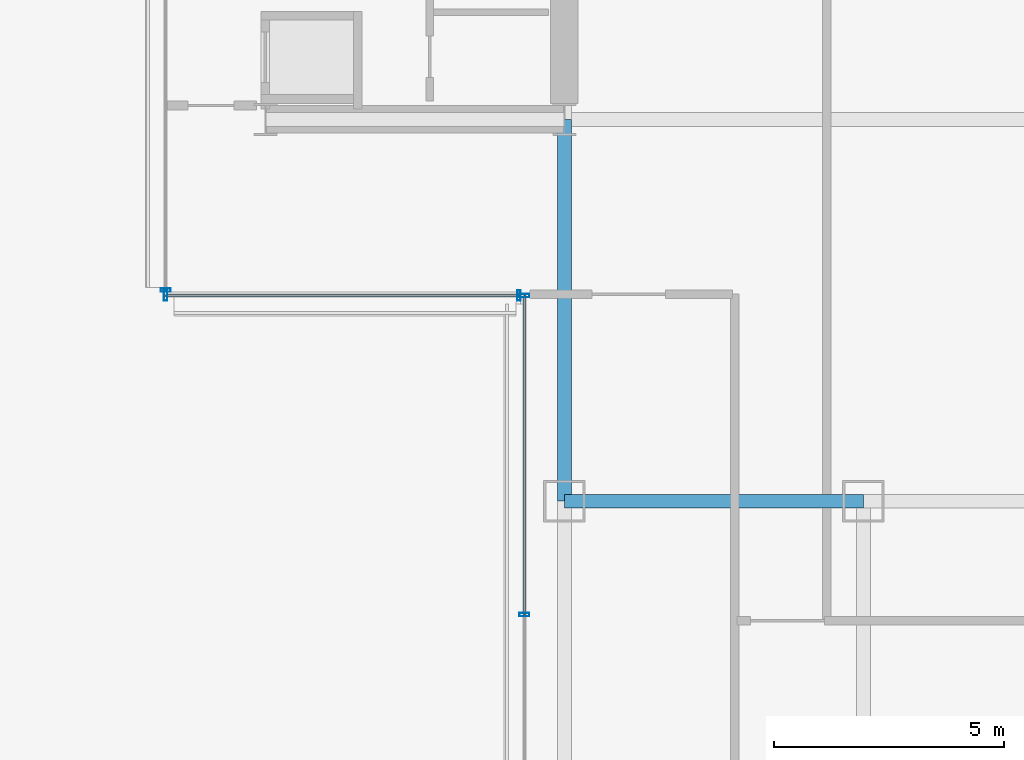
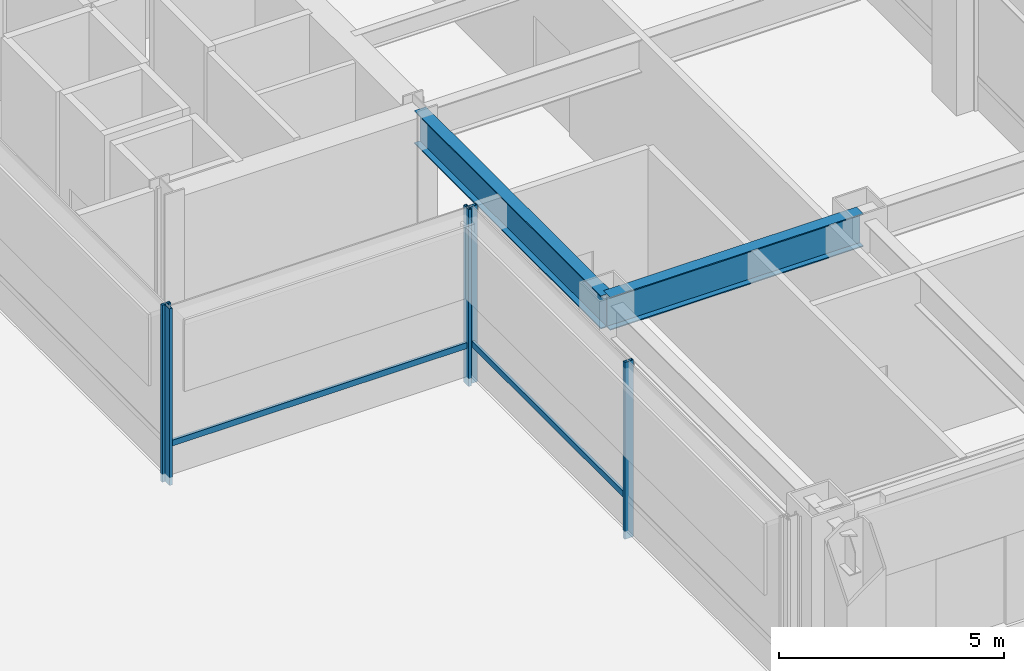
# One storey, part 8 of 37: 7 members, 2 beams, 3 elements without a shape of their own.
"""IFC4 building model written with IfcOpenShell, lengths in metres."""

from ifc_helpers import new_model, si_unit, direction, frame, origin, origin_2d, place, context, subcontext, project, spatial, hollow_rectangle, i_section, extrude, material, layer, layer_set, material_profile, profile_set, type_object, element, aggregate, save


model = new_model("IFC4")

# Units and contexts
model_context = context("Model", 3, precision=1e-05, world=origin(), true_north=direction((0.0, 1.0)))
body_context = subcontext(model_context, "Body", "Model", "MODEL_VIEW")
ifc_project = project(units=[si_unit("LENGTHUNIT", "METRE"), si_unit("AREAUNIT", "SQUARE_METRE"), si_unit("VOLUMEUNIT", "CUBIC_METRE"), si_unit("PLANEANGLEUNIT", "RADIAN"), si_unit("MASSUNIT", "GRAM", prefix="KILO")], contexts=[model_context])

# Site, building, storey
site_placement = place(None, origin())
site = spatial("IfcSite", under=ifc_project, at=site_placement, CompositionType="ELEMENT")
building_placement = place(site_placement, origin())
building = spatial("IfcBuilding", under=site, at=building_placement, Name="Brelmoor Portico Tower", CompositionType="ELEMENT")
storey_placement = place(building_placement, origin())
storey = spatial("IfcBuildingStorey", under=building, at=storey_placement, Name="L00", CompositionType="ELEMENT", Elevation=0.0)

# Beams
ifc_material_1 = material(Name="Steel Q355B", Category="steel")
ifc_material_profile_1 = material_profile(ifc_material_1, i_section(OverallWidth=0.300048828125, OverallDepth=0.89990234375, WebThickness=0.01611328125, FlangeThickness=0.028076171875, at=origin_2d()), Name="HN 900x300x16x28")
ifc_profile_set_1 = profile_set([ifc_material_profile_1], Name="Steel Q355B")
beam_type = type_object("IfcBeamType", Name="BM-PG-900", PredefinedType="BEAM", material=ifc_profile_set_1)
beam_1_placement = place(storey_placement, frame((14.550048828125, -18.050048828125, 4.1298828125), z_axis=(0.0, 1.0, 0.0), x_axis=(-1.0, 0.0, 0.0)))
element("IfcBeam", 1, at=beam_1_placement, inside=storey, type_object=beam_type, Name="L00 Primary Floor Girder PG-13", PredefinedType="BEAM", context=body_context, shape_type="SweptSolid", body=[
    extrude(i_section(OverallWidth=0.300048828125, OverallDepth=0.89990234375, WebThickness=0.01611328125, FlangeThickness=0.028076171875, at=origin_2d()), origin(), (0.0, 0.0, 1.0), 8.300048828125),
])
beam_2_placement = place(storey_placement, frame((14.550048828125, -18.050048828125, 4.1298828125), z_axis=(1.0, 0.0, 0.0), x_axis=(0.0, 1.0, 0.0)))
element("IfcBeam", 2, at=beam_2_placement, inside=storey, type_object=beam_type, Name="L00 Primary Floor Girder PG-23", PredefinedType="BEAM", context=body_context, shape_type="SweptSolid", body=[
    extrude(i_section(OverallWidth=0.300048828125, OverallDepth=0.89990234375, WebThickness=0.01611328125, FlangeThickness=0.028076171875, at=origin_2d()), origin(), (0.0, 0.0, 1.0), 6.5),
])

# Curtain wall, members
ifc_material_2 = material(Name="Anodised Aluminium Alloy 6063-T6", Category="aluminium")
ifc_layer = layer(ifc_material_2, 0.179931640625)
ifc_layer_set = layer_set([ifc_layer], Name="Anodised Aluminium Alloy 6063-T6")
curtain_wall_type = type_object("IfcCurtainWallType", Name="CW-PODIUM-ARCH", PredefinedType="NOTDEFINED", material=ifc_layer_set)
curtain_wall_1_placement = place(storey_placement, origin())
curtain_wall_1 = element("IfcCurtainWall", 3, at=curtain_wall_1_placement, inside=storey, type_object=curtain_wall_type, Name="L00 Curtain Wall CW-L00-08", PredefinedType="NOTDEFINED")
ifc_material_profile_2 = material_profile(ifc_material_2, hollow_rectangle(XDim=0.074951171875, YDim=0.219970703125, WallThickness=0.0048828125, at=origin_2d()), Name="ALU MULLION 75x220")
ifc_profile_set_2 = profile_set([ifc_material_profile_2], Name="Anodised Aluminium Alloy 6063-T6")
member_type_1 = type_object("IfcMemberType", Name="MB-CW-MULL-220", PredefinedType="MULLION", material=ifc_profile_set_2)
member_1_placement = place(storey_placement, frame((13.679931640625, -20.514892578125, -0.219970703125), z_axis=(0.0, 0.0, 1.0), x_axis=(0.0, 1.0, 0.0)))
member_1 = element("IfcMember", 4, at=member_1_placement, type_object=member_type_1, Name="CW-L00-08 Mullion 01", PredefinedType="MULLION", context=body_context, shape_type="SweptSolid", body=[
    extrude(hollow_rectangle(XDim=0.074951171875, YDim=0.219970703125, WallThickness=0.0048828125, at=origin_2d()), origin(), (0.0, 0.0, 1.0), 4.800048828125),
])
member_2_placement = place(storey_placement, frame((13.679931640625, -13.580078125, -0.219970703125), z_axis=(0.0, 0.0, 1.0), x_axis=(0.0, 1.0, 0.0)))
member_2 = element("IfcMember", 5, at=member_2_placement, type_object=member_type_1, Name="CW-L00-08 Mullion 02", PredefinedType="MULLION", context=body_context, shape_type="SweptSolid", body=[
    extrude(hollow_rectangle(XDim=0.074951171875, YDim=0.219970703125, WallThickness=0.0048828125, at=origin_2d()), origin(), (0.0, 0.0, 1.0), 4.800048828125),
])

curtain_wall_2_placement = place(storey_placement, origin())
curtain_wall_2 = element("IfcCurtainWall", 6, at=curtain_wall_2_placement, inside=storey, type_object=curtain_wall_type, Name="L00 Curtain Wall CW-L00-12", PredefinedType="NOTDEFINED")
member_3_placement = place(storey_placement, frame((5.8798828125, -13.580078125, -0.219970703125), z_axis=(0.0, 0.0, 1.0), x_axis=(1.0, 0.0, 0.0)))
member_3 = element("IfcMember", 7, at=member_3_placement, type_object=member_type_1, Name="CW-L00-12 Mullion 00", PredefinedType="MULLION", context=body_context, shape_type="SweptSolid", body=[
    extrude(hollow_rectangle(XDim=0.074951171875, YDim=0.219970703125, WallThickness=0.0048828125, at=origin_2d()), origin(), (0.0, 0.0, 1.0), 4.800048828125),
])
member_4_placement = place(storey_placement, frame((13.56005859375, -13.580078125, -0.219970703125), z_axis=(0.0, 0.0, 1.0), x_axis=(1.0, 0.0, 0.0)))
member_4 = element("IfcMember", 8, at=member_4_placement, type_object=member_type_1, Name="CW-L00-12 Mullion 01", PredefinedType="MULLION", context=body_context, shape_type="SweptSolid", body=[
    extrude(hollow_rectangle(XDim=0.074951171875, YDim=0.219970703125, WallThickness=0.0048828125, at=origin_2d()), origin(), (0.0, 0.0, 1.0), 4.800048828125),
])

# Curtain wall, member
curtain_wall_3_placement = place(storey_placement, origin())
curtain_wall_3 = element("IfcCurtainWall", 9, at=curtain_wall_3_placement, inside=storey, type_object=curtain_wall_type, Name="L00 Curtain Wall CW-L00-16", PredefinedType="NOTDEFINED")
member_5_placement = place(storey_placement, frame((5.8798828125, -13.4599609375, -0.219970703125), z_axis=(0.0, 0.0, 1.0), x_axis=(0.0, 1.0, 0.0)))
member_5 = element("IfcMember", 10, at=member_5_placement, type_object=member_type_1, Name="CW-L00-16 Mullion 00", PredefinedType="MULLION", context=body_context, shape_type="SweptSolid", body=[
    extrude(hollow_rectangle(XDim=0.074951171875, YDim=0.219970703125, WallThickness=0.0048828125, at=origin_2d()), origin(), (0.0, 0.0, 1.0), 4.800048828125),
])
aggregate(curtain_wall_3, [member_5])

# Member
ifc_material_profile_3 = material_profile(ifc_material_2, hollow_rectangle(XDim=0.070068359375, YDim=0.159912109375, WallThickness=0.00390625, at=origin_2d()), Name="ALU TRANSOM 70x160")
ifc_profile_set_3 = profile_set([ifc_material_profile_3], Name="Anodised Aluminium Alloy 6063-T6")
member_type_2 = type_object("IfcMemberType", Name="MB-CW-TRAN-160", PredefinedType="USERDEFINED", material=ifc_profile_set_3)
member_6_placement = place(storey_placement, frame((13.679931640625, -20.514892578125, 0.85009765625), z_axis=(0.0, 1.0, 0.0), x_axis=(-1.0, 0.0, 0.0)))
member_6 = element("IfcMember", 11, at=member_6_placement, type_object=member_type_2, Name="CW-L00-08 Transom 1-01", ObjectType="TRANSOM", PredefinedType="USERDEFINED", context=body_context, shape_type="SweptSolid", body=[
    extrude(hollow_rectangle(XDim=0.070068359375, YDim=0.159912109375, WallThickness=0.00390625, at=origin_2d()), origin(), (0.0, 0.0, 1.0), 6.934814453125),
])

aggregate(curtain_wall_1, [member_1, member_2, member_6])

member_7_placement = place(storey_placement, frame((5.8798828125, -13.580078125, 0.85009765625), z_axis=(1.0, 0.0, 0.0), x_axis=(0.0, 1.0, 0.0)))
member_7 = element("IfcMember", 12, at=member_7_placement, type_object=member_type_2, Name="CW-L00-12 Transom 1-00", ObjectType="TRANSOM", PredefinedType="USERDEFINED", context=body_context, shape_type="SweptSolid", body=[
    extrude(hollow_rectangle(XDim=0.070068359375, YDim=0.159912109375, WallThickness=0.00390625, at=origin_2d()), origin(), (0.0, 0.0, 1.0), 7.800048828125),
])

aggregate(curtain_wall_2, [member_3, member_4, member_7])

save(model, "model.ifc")
